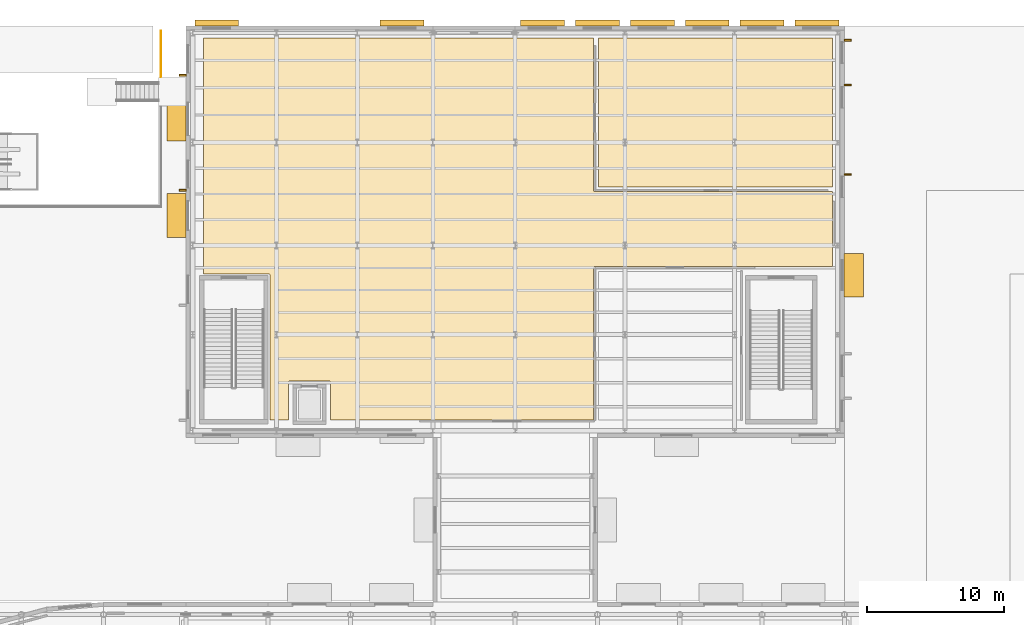
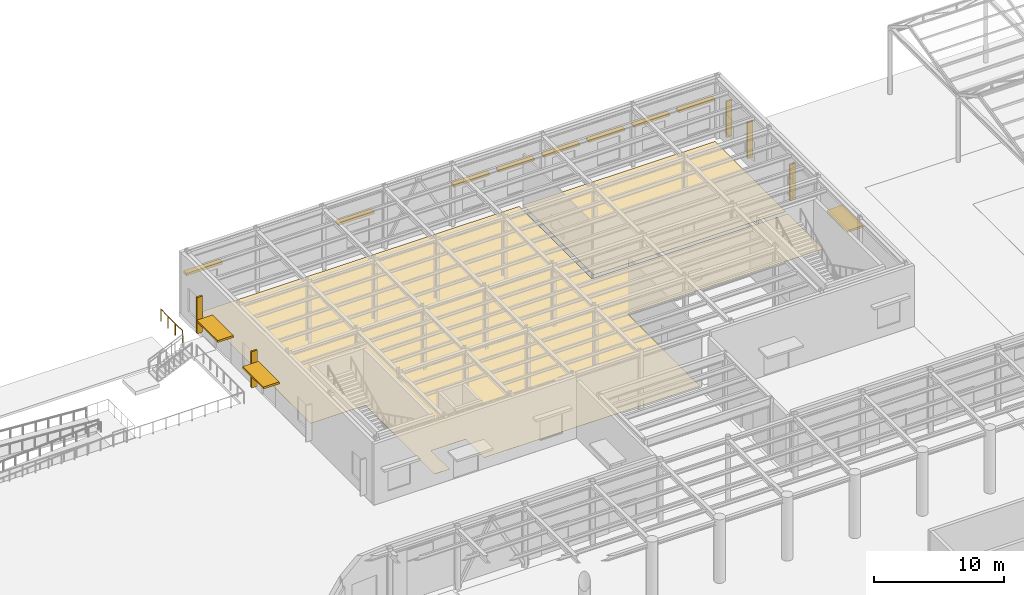
# One storey, part 113 of 118: 16 shading devices, 2 coverings, 1 railing.
"""IFC4 building model written with IfcOpenShell, lengths in metres."""

from ifc_helpers import new_model, si_unit, direction, frame, origin, origin_2d, place, context, subcontext, project, spatial, polyline, rectangle, circle, outline, extrude, material, layer, layer_set, type_object, element, save


model = new_model("IFC4")

# Units and contexts
model_context = context("Model", 3, precision=1e-05, world=origin(), true_north=direction((0.0, 1.0)))
body_context = subcontext(model_context, "Body", "Model", "MODEL_VIEW")
ifc_project = project(units=[si_unit("LENGTHUNIT", "METRE"), si_unit("AREAUNIT", "SQUARE_METRE"), si_unit("VOLUMEUNIT", "CUBIC_METRE"), si_unit("PLANEANGLEUNIT", "RADIAN"), si_unit("MASSUNIT", "GRAM", prefix="KILO")], contexts=[model_context])

# Site, building, storey
site_placement = place(None, origin())
site = spatial("IfcSite", under=ifc_project, at=site_placement, CompositionType="ELEMENT")
building_placement = place(site_placement, origin())
building = spatial("IfcBuilding", under=site, at=building_placement, Name="Kolvaren Corner Interchange", CompositionType="ELEMENT")
storey_placement = place(building_placement, origin())
storey = spatial("IfcBuildingStorey", under=building, at=storey_placement, Name="L01", CompositionType="ELEMENT", Elevation=0.0)

# Coverings
ifc_material_1 = material(Name="Anti-Slip Heavy-Duty Epoxy Resin Flooring")
ifc_layer_1 = layer(ifc_material_1, 0.01806640625)
ifc_layer_set_1 = layer_set([ifc_layer_1], Name="Anti-Slip Heavy-Duty Epoxy Resin Flooring")
covering_type_1 = type_object("IfcCoveringType", Name="COV-FLR-RES18", PredefinedType="FLOORING", material=ifc_layer_set_1)
covering_1_placement = place(storey_placement, origin())
element("IfcCovering", 1, at=covering_1_placement, inside=storey, type_object=covering_type_1, Name="L01 Cycle Hub Rack Hall Floor Finish", PredefinedType="FLOORING", context=body_context, shape_type="SweptSolid", body=[
    extrude(outline(polyline([(76.530029296875, 85.280029296875), (95.719970703125, 85.280029296875), (95.719970703125, 96.39990234375), (95.743408203125, 96.45654296875), (95.800048828125, 96.47998046875), (113.1201171875, 96.47998046875), (113.1201171875, 101.919921875), (95.800048828125, 101.919921875), (95.755615234375, 101.93359375), (95.719970703125, 102.0), (95.719970703125, 113.1201171875), (67.280029296875, 113.1201171875), (67.280029296875, 95.929931640625), (72.050048828125, 95.929931640625), (72.11181640625, 95.90087890625), (72.1298828125, 95.85009765625), (72.1298828125, 85.280029296875), (73.469970703125, 85.280029296875), (73.469970703125, 88.050048828125), (73.505615234375, 88.116455078125), (73.550048828125, 88.1298828125), (76.449951171875, 88.1298828125), (76.506591796875, 88.106689453125), (76.530029296875, 88.050048828125), (76.530029296875, 85.280029296875)])), origin(), (0.0, 0.0, 1.0), 0.01806640625),
])
ifc_material_2 = material(Name="Polished Niger Delta Granite Terrazzo Flooring", Category="masonry")
ifc_layer_2 = layer(ifc_material_2, 0.030029296875)
ifc_layer_set_2 = layer_set([ifc_layer_2], Name="Polished Niger Delta Granite Terrazzo Flooring")
covering_type_2 = type_object("IfcCoveringType", Name="COV-FLR-TER30", PredefinedType="FLOORING", material=ifc_layer_set_2)
covering_2_placement = place(storey_placement, origin())
element("IfcCovering", 2, at=covering_2_placement, inside=storey, type_object=covering_type_2, Name="L01 Cycle Lockers and Showers Floor Finish", PredefinedType="FLOORING", context=body_context, shape_type="SweptSolid", body=[
    extrude(outline(polyline([(96.080078125, 102.280029296875), (113.1201171875, 102.280029296875), (113.1201171875, 113.1201171875), (96.080078125, 113.1201171875), (96.080078125, 102.280029296875)])), origin(), (0.0, 0.0, 1.0), 0.030029296875),
])

# Railing
ifc_material_3 = material(Name="Hot-Dip Galvanised Steel Guardrail", Category="steel")
railing_type = type_object("IfcRailingType", Name="RLT-PLINTH-GRD1120", PredefinedType="GUARDRAIL", material=ifc_material_3)
railing_placement = place(storey_placement, frame((64.179931640625, 110.300048828125, 0.0)))
element("IfcRailing", 3, at=railing_placement, inside=storey, type_object=railing_type, Name="Northwest Ramp Cutout North Plinth Guardrail", PredefinedType="GUARDRAIL", context=body_context, shape_type="SweptSolid", body=[
    extrude(circle(Radius=0.02392578125, at=origin_2d()), frame((0.0, 0.0, 1.09619140625), z_axis=(0.0, 1.0, 0.0), x_axis=(-1.0, 0.0, 0.0)), (0.0, 0.0, 1.0), 3.320068359375),
    extrude(circle(Radius=0.02099609375, at=origin_2d()), origin(), (0.0, 0.0, 1.0), 1.072021484375),
    extrude(circle(Radius=0.02099609375, at=origin_2d()), frame((0.0, 1.106689453125, 0.0)), (0.0, 0.0, 1.0), 1.072021484375),
    extrude(circle(Radius=0.02099609375, at=origin_2d()), frame((0.0, 2.21337890625, 0.0)), (0.0, 0.0, 1.0), 1.072021484375),
    extrude(circle(Radius=0.02099609375, at=origin_2d()), frame((0.0, 3.320068359375, 0.0)), (0.0, 0.0, 1.0), 1.072021484375),
])

# Shading devices
ifc_material_4 = material(Name="Glazed Ochre Ceramic Baguette Solar Louvre")
shading_device_type_1 = type_object("IfcShadingDeviceType", Name="SHD-BAG-H450", PredefinedType="JALOUSIE", material=ifc_material_4)
for number, where, z_axis, x_axis, name in (
    (4, (112.0, 114.2099609375, 3.1298828125), (0.0, 0.0, 1.0), (-1.0, 0.0, 0.0), "L01 Ceramic Solar Shading 0253"),
    (5, (108.0, 114.2099609375, 3.1298828125), (0.0, 0.0, 1.0), (-1.0, 0.0, 0.0), "L01 Ceramic Solar Shading 0254"),
    (6, (104.0, 114.2099609375, 3.1298828125), (0.0, 0.0, 1.0), (-1.0, 0.0, 0.0), "L01 Ceramic Solar Shading 0255"),
    (7, (100.0, 114.2099609375, 3.1298828125), (0.0, 0.0, 1.0), (-1.0, 0.0, 0.0), "L01 Ceramic Solar Shading 0256"),
    (8, (96.0, 114.2099609375, 3.1298828125), (0.0, 0.0, 1.0), (-1.0, 0.0, 0.0), "L01 Ceramic Solar Shading 0257"),
    (9, (92.0, 114.2099609375, 3.1298828125), (0.0, 0.0, 1.0), (-1.0, 0.0, 0.0), "L01 Ceramic Solar Shading 0258"),
    (10, (81.75, 114.2099609375, 3.1298828125), (0.0, 0.0, 1.0), (-1.0, 0.0, 0.0), "L01 Ceramic Solar Shading 0259"),
    (11, (68.25, 114.2099609375, 3.1298828125), (0.0, 0.0, 1.0), (-1.0, 0.0, 0.0), "L01 Ceramic Solar Shading 0260"),
):
    element("IfcShadingDevice", number, at=place(storey_placement, frame(where, z_axis=z_axis, x_axis=x_axis)), inside=storey, type_object=shading_device_type_1, Name=name, PredefinedType="JALOUSIE", context=body_context, shape_type="SweptSolid", body=[
        extrude(rectangle(XDim=3.199951171875, YDim=0.449951171875, at=origin_2d()), origin(), (0.0, 0.0, 1.0), 0.219970703125),
    ])
ifc_material_5 = material(Name="Anodised Aluminium Entrance Rain Canopy", Category="aluminium")
shading_device_type_2 = type_object("IfcShadingDeviceType", Name="SHD-CAN-1400", PredefinedType="AWNING", material=ifc_material_5)
for number, where, z_axis, x_axis, name in (
    (12, (114.68505859375, 95.83203125, 2.60986328125), (0.0, 0.0, 1.0), (0.0, 1.0, 0.0), "Entrance Monsoon Rain Canopy 027"),
    (13, (65.31494140625, 107.220703125, 2.66015625), (0.0, 0.0, 1.0), (0.0, -1.0, 0.0), "Entrance Monsoon Rain Canopy 028"),
    (14, (65.31494140625, 100.17431640625, 2.580078125), (0.0, 0.0, 1.0), (0.0, -1.0, 0.0), "Entrance Monsoon Rain Canopy 029"),
):
    element("IfcShadingDevice", number, at=place(storey_placement, frame(where, z_axis=z_axis, x_axis=x_axis)), inside=storey, type_object=shading_device_type_2, Name=name, PredefinedType="AWNING", context=body_context, shape_type="SweptSolid", body=[
        extrude(rectangle(XDim=3.199951171875, YDim=1.39990234375, at=origin_2d()), origin(), (0.0, 0.0, 1.0), 0.179931640625),
    ])
ifc_material_6 = material(Name="Vertical Terracotta Solar Fin", Category="masonry")
shading_device_type_3 = type_object("IfcShadingDeviceType", Name="SHD-FIN-V500", PredefinedType="USERDEFINED", material=ifc_material_6)
for number, where, z_axis, x_axis, name in (
    (15, (114.235107421875, 103.172119140625, 0.199951171875), (0.0, 0.0, 1.0), (0.0, 1.0, 0.0), "L01 Ceramic Solar Shading 0250"),
    (16, (114.235107421875, 109.69677734375, 0.199951171875), (0.0, 0.0, 1.0), (0.0, 1.0, 0.0), "L01 Ceramic Solar Shading 0251"),
    (17, (114.235107421875, 112.958984375, 0.199951171875), (0.0, 0.0, 1.0), (0.0, 1.0, 0.0), "L01 Ceramic Solar Shading 0252"),
    (18, (65.764892578125, 110.4228515625, 0.300048828125), (0.0, 0.0, 1.0), (0.0, -1.0, 0.0), "L01 Ceramic Solar Shading 0261"),
    (19, (65.764892578125, 102.0341796875, 0.300048828125), (0.0, 0.0, 1.0), (0.0, -1.0, 0.0), "L01 Ceramic Solar Shading 0262"),
):
    element("IfcShadingDevice", number, at=place(storey_placement, frame(where, z_axis=z_axis, x_axis=x_axis)), inside=storey, type_object=shading_device_type_3, Name=name, ObjectType="SUNSHADE", PredefinedType="USERDEFINED", context=body_context, shape_type="SweptSolid", body=[
        extrude(rectangle(XDim=0.139892578125, YDim=0.5, at=origin_2d()), origin(), (0.0, 0.0, 1.0), 3.39990234375),
    ])

save(model, "model.ifc")
